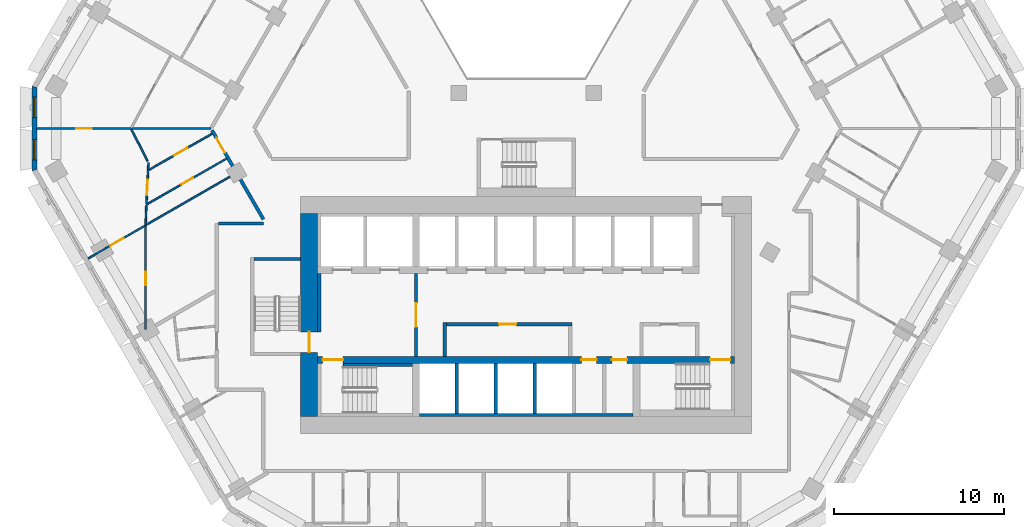
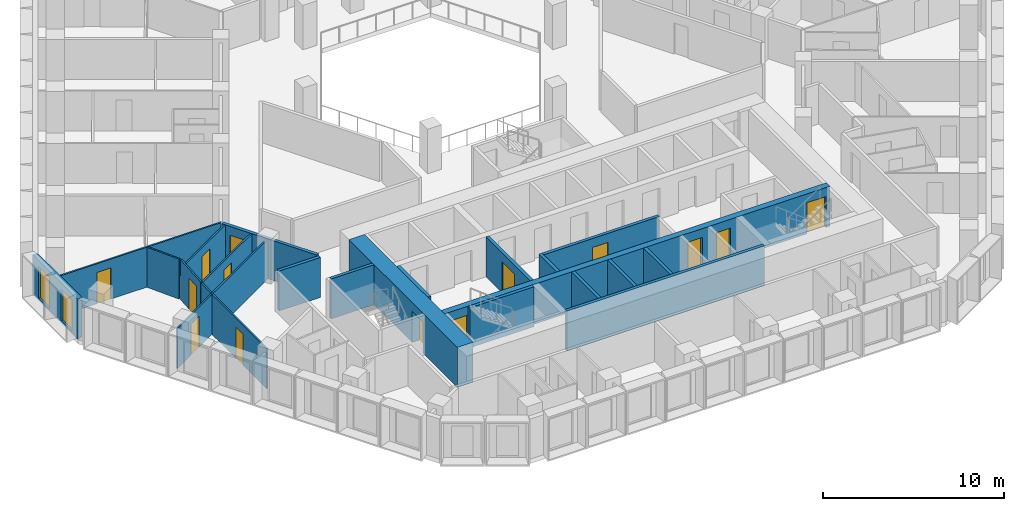
# One storey, part 4 of 18: 23 walls, 14 doors, 2 windows, 16 openings.
"""IFC4 building model written with IfcOpenShell, lengths in metres."""

from ifc_helpers import new_model, si_unit, direction, frame, frame_2d, origin, place, context, subcontext, project, spatial, polyline, rectangle, outline, extrude, material, layer, layer_set, type_object, element, fill, save


model = new_model("IFC4")

# Units and contexts
model_context = context("Model", 3, precision=1e-05, world=origin(), true_north=direction((0.0, 1.0)))
body_context = subcontext(model_context, "Body", "Model", "MODEL_VIEW")
ifc_project = project(units=[si_unit("LENGTHUNIT", "METRE"), si_unit("AREAUNIT", "SQUARE_METRE"), si_unit("VOLUMEUNIT", "CUBIC_METRE"), si_unit("PLANEANGLEUNIT", "RADIAN"), si_unit("MASSUNIT", "GRAM", prefix="KILO")], contexts=[model_context])

# Site, building, storey
site_placement = place(None, origin())
site = spatial("IfcSite", under=ifc_project, at=site_placement, CompositionType="ELEMENT")
building_placement = place(site_placement, origin())
building = spatial("IfcBuilding", under=site, at=building_placement, Name="Beryl Residences", CompositionType="ELEMENT")
storey_placement = place(building_placement, frame((0.0, 0.0, 87.0)))
storey = spatial("IfcBuildingStorey", under=building, at=storey_placement, Name="L26", CompositionType="ELEMENT", Elevation=87.0)

# Wall, openings, windows
ifc_material_1 = material(Name="Composite metal panel with mineral wool insulation")
ifc_layer_1 = layer(ifc_material_1, 0.300048828125)
ifc_layer_set_1 = layer_set([ifc_layer_1], Name="ES1 pale metal composite panel wall 300 mm")
wall_type_1 = type_object("IfcWallType", Name="ES1 pale metal composite panel wall 300 mm", PredefinedType="SOLIDWALL", material=ifc_layer_set_1)
wall_1_placement = place(storey_placement, frame((-29.007080078125, 1.5, 0.0), z_axis=(0.0, 0.0, 1.0), x_axis=(0.0, -1.0, 0.0)))
wall_1 = element("IfcWall", 1, at=wall_1_placement, inside=storey, type_object=wall_type_1, Name="ES1 external wall L26 NW-SW", PredefinedType="SOLIDWALL", context=body_context, shape_type="SweptSolid", body=[
    extrude(outline(polyline([(0.0, -0.14990234375), (5.0, -0.14990234375), (4.919677734375, 0.14990234375), (0.080322265625, 0.14990234375), (0.0, -0.14990234375)])), origin(), (0.0, 0.0, 1.0), 2.699951171875),
])
opening_1_placement = place(wall_1_placement, frame((0.64990234375, 0.0, 0.14990234375)))
opening_1 = element("IfcOpeningElement", 2, at=opening_1_placement, cuts=wall_1, Name="Opening W2", PredefinedType="OPENING", context=body_context, shape_type="SweptSolid", body=[
    extrude(rectangle(XDim=1.199951171875, YDim=2.10009765625, at=frame_2d((0.60009765625, 1.050048828125))), frame((0.0, 0.159912109375, 0.0), z_axis=(0.0, -1.0, 0.0), x_axis=(1.0, 0.0, 0.0)), (0.0, 0.0, 1.0), 0.320068359375),
])
opening_2_placement = place(wall_1_placement, frame((3.14990234375, 0.0, 0.14990234375)))
opening_2 = element("IfcOpeningElement", 3, at=opening_2_placement, cuts=wall_1, Name="Opening W2", PredefinedType="OPENING", context=body_context, shape_type="SweptSolid", body=[
    extrude(rectangle(XDim=1.199951171875, YDim=2.10009765625, at=frame_2d((0.60009765625, 1.050048828125))), frame((0.0, 0.159912109375, 0.0), z_axis=(0.0, -1.0, 0.0), x_axis=(1.0, 0.0, 0.0)), (0.0, 0.0, 1.0), 0.320068359375),
])
ifc_material_2 = material(Name="Aluminium and clear glass", Category="aluminium")
window_type = type_object("IfcWindowType", Name="W2 chamfer window 1200 x 2100 mm", PartitioningType="SINGLE_PANEL", PredefinedType="WINDOW", material=ifc_material_2)
window_1_placement = place(opening_1_placement, origin())
window_1 = element("IfcWindow", 4, at=window_1_placement, inside=storey, type_object=window_type, Name="W2 window L26 NW-SW 1", OverallHeight=2.10009765625, OverallWidth=1.199951171875, PartitioningType="SINGLE_PANEL", PredefinedType="WINDOW", context=body_context, shape_type="SweptSolid", body=[
    extrude(rectangle(XDim=1.199951171875, YDim=2.10009765625, at=frame_2d((0.60009765625, 1.050048828125))), frame((0.0, 0.030029296875, 0.0), z_axis=(0.0, -1.0, 0.0), x_axis=(1.0, 0.0, 0.0)), (0.0, 0.0, 1.0), 0.06005859375),
])
fill(opening_1, window_1)
window_2_placement = place(opening_2_placement, origin())
window_2 = element("IfcWindow", 5, at=window_2_placement, inside=storey, type_object=window_type, Name="W2 window L26 NW-SW 2", OverallHeight=2.10009765625, OverallWidth=1.199951171875, PartitioningType="SINGLE_PANEL", PredefinedType="WINDOW", context=body_context, shape_type="SweptSolid", body=[
    extrude(rectangle(XDim=1.199951171875, YDim=2.10009765625, at=frame_2d((0.60009765625, 1.050048828125))), frame((0.0, 0.030029296875, 0.0), z_axis=(0.0, -1.0, 0.0), x_axis=(1.0, 0.0, 0.0)), (0.0, 0.0, 1.0), 0.06005859375),
])
fill(opening_2, window_2)

# Wall
ifc_material_3 = material(Name="Gypsum board partition on steel studs", Category="steel")
ifc_layer_2 = layer(ifc_material_3, 0.10009765625)
ifc_layer_set_2 = layer_set([ifc_layer_2], Name="PT1 partition 100 mm gypsum board on steel studs")
wall_type_2 = type_object("IfcWallType", Name="PT1 partition 100 mm gypsum board on steel studs", PredefinedType="PARTITIONING", material=ifc_layer_set_2)
wall_2_placement = place(storey_placement, frame((-23.2890625, -1.053955078125, 0.0), z_axis=(0.0, 0.0, 1.0), x_axis=(0.458226112305, -0.888835659726, 0.0)))
element("IfcWall", 6, at=wall_2_placement, inside=storey, type_object=wall_type_2, Name="Wall PT1 L26 009", PredefinedType="PARTITIONING", context=body_context, shape_type="SweptSolid", body=[
    extrude(rectangle(XDim=2.10400390625, YDim=0.10009765625, at=frame_2d((1.052001953125, 0.0))), origin(), (0.0, 0.0, 1.0), 2.699951171875),
])

# Wall, opening, door
wall_3_placement = place(storey_placement, frame((-28.85693359375, -1.0009765625, 0.0), z_axis=(0.0, 0.0, 1.0), x_axis=(1.0, 0.0, 0.0)))
wall_3 = element("IfcWall", 7, at=wall_3_placement, inside=storey, type_object=wall_type_2, Name="Wall PT1 L26 032", PredefinedType="PARTITIONING", context=body_context, shape_type="SweptSolid", body=[
    extrude(rectangle(XDim=10.265869140625, YDim=0.10009765625, at=frame_2d((5.1328125, 0.0))), origin(), (0.0, 0.0, 1.0), 2.699951171875),
])
opening_3_placement = place(wall_3_placement, frame((2.320068359375, 0.0, 0.0)))
opening_3 = element("IfcOpeningElement", 8, at=opening_3_placement, cuts=wall_3, Name="Opening D0621", PredefinedType="OPENING", context=body_context, shape_type="SweptSolid", body=[
    extrude(rectangle(XDim=0.89990234375, YDim=2.10009765625, at=frame_2d((0.449951171875, 1.050048828125))), frame((0.0, 0.06005859375, 0.0), z_axis=(0.0, -1.0, 0.0), x_axis=(1.0, 0.0, 0.0)), (0.0, 0.0, 1.0), 0.1201171875),
])
ifc_material_4 = material(Name="Timber door leaf", Category="wood")
door_type_1 = type_object("IfcDoorType", Name="D2 room door 900 x 2100 mm", OperationType="SINGLE_SWING_LEFT", PredefinedType="DOOR", material=ifc_material_4)
door_1_placement = place(opening_3_placement, origin())
door_1 = element("IfcDoor", 9, at=door_1_placement, inside=storey, type_object=door_type_1, Name="Door D0621 L26 001", OperationType="SINGLE_SWING_LEFT", OverallHeight=2.10009765625, OverallWidth=0.89990234375, PredefinedType="DOOR", context=body_context, shape_type="SweptSolid", body=[
    extrude(rectangle(XDim=0.89990234375, YDim=2.10009765625, at=frame_2d((0.449951171875, 1.050048828125))), frame((0.0, 0.02490234375, 0.0), z_axis=(0.0, -1.0, 0.0), x_axis=(1.0, 0.0, 0.0)), (0.0, 0.0, 1.0), 0.050048828125),
])
fill(opening_3, door_1)

wall_4_placement = place(storey_placement, frame((-22.39892578125, -5.449951171875, 0.0), z_axis=(0.0, 0.0, 1.0), x_axis=(0.049129140995, 0.998792434646, 0.0)))
wall_4 = element("IfcWall", 10, at=wall_4_placement, inside=storey, type_object=wall_type_2, Name="Wall PT1 L26 052", PredefinedType="PARTITIONING", context=body_context, shape_type="SweptSolid", body=[
    extrude(rectangle(XDim=2.43994140625, YDim=0.10009765625, at=frame_2d((1.219970703125, 0.0))), origin(), (0.0, 0.0, 1.0), 2.699951171875),
])
opening_4_placement = place(wall_4_placement, frame((0.52197265625, 0.0, 0.0)))
opening_4 = element("IfcOpeningElement", 11, at=opening_4_placement, cuts=wall_4, Name="Opening D0620", PredefinedType="OPENING", context=body_context, shape_type="SweptSolid", body=[
    extrude(rectangle(XDim=0.89990234375, YDim=2.10009765625, at=frame_2d((0.449951171875, 1.050048828125))), frame((0.0, 0.06005859375, 0.0), z_axis=(0.0, -1.0, 0.0), x_axis=(1.0, 0.0, 0.0)), (0.0, 0.0, 1.0), 0.1201171875),
])
door_2_placement = place(opening_4_placement, origin())
door_2 = element("IfcDoor", 12, at=door_2_placement, inside=storey, type_object=door_type_1, Name="Door D0620 L26 001", OperationType="SINGLE_SWING_RIGHT", OverallHeight=2.10009765625, OverallWidth=0.89990234375, PredefinedType="DOOR", context=body_context, shape_type="SweptSolid", body=[
    extrude(rectangle(XDim=0.89990234375, YDim=2.10009765625, at=frame_2d((0.449951171875, 1.050048828125))), frame((0.0, 0.02490234375, 0.0), z_axis=(0.0, -1.0, 0.0), x_axis=(1.0, 0.0, 0.0)), (0.0, 0.0, 1.0), 0.050048828125),
])
fill(opening_4, door_2)

# Wall
wall_5_placement = place(storey_placement, frame((-22.447998046875, -6.65087890625, 0.0), z_axis=(0.0, 0.0, 1.0), x_axis=(0.040729401597, 0.99917021365, 0.0)))
element("IfcWall", 13, at=wall_5_placement, inside=storey, type_object=wall_type_2, Name="Wall PT1 L26 053", PredefinedType="PARTITIONING", context=body_context, shape_type="SweptSolid", body=[
    extrude(rectangle(XDim=1.126953125, YDim=0.10009765625, at=frame_2d((0.5634765625, 0.0))), origin(), (0.0, 0.0, 1.0), 2.699951171875),
])

# Wall, opening, door
wall_6_placement = place(storey_placement, frame((-22.449951171875, -12.845947265625, 0.0), z_axis=(0.0, 0.0, 1.0), x_axis=(0.0, 1.0, 0.0)))
wall_6 = element("IfcWall", 14, at=wall_6_placement, inside=storey, type_object=wall_type_2, Name="Wall PT1 L26 066", PredefinedType="PARTITIONING", context=body_context, shape_type="SweptSolid", body=[
    extrude(rectangle(XDim=6.077880859375, YDim=0.10009765625, at=frame_2d((3.0390625, 0.0))), origin(), (0.0, 0.0, 1.0), 2.699951171875),
])
opening_5_placement = place(wall_6_placement, frame((2.610107421875, 0.0, 0.0)))
opening_5 = element("IfcOpeningElement", 15, at=opening_5_placement, cuts=wall_6, Name="Opening D0623", PredefinedType="OPENING", context=body_context, shape_type="SweptSolid", body=[
    extrude(rectangle(XDim=0.800048828125, YDim=2.10009765625, at=frame_2d((0.39990234375, 1.050048828125))), frame((0.0, 0.06005859375, 0.0), z_axis=(0.0, -1.0, 0.0), x_axis=(1.0, 0.0, 0.0)), (0.0, 0.0, 1.0), 0.1201171875),
])
ifc_material_5 = material(Name="Timber door leaf", Category="wood")
door_type_2 = type_object("IfcDoorType", Name="D3 bathroom door 800 x 2100 mm", OperationType="SINGLE_SWING_LEFT", PredefinedType="DOOR", material=ifc_material_5)
door_3_placement = place(opening_5_placement, origin())
door_3 = element("IfcDoor", 16, at=door_3_placement, inside=storey, type_object=door_type_2, Name="Door D0623 L26 001", OperationType="SINGLE_SWING_LEFT", OverallHeight=2.10009765625, OverallWidth=0.800048828125, PredefinedType="DOOR", context=body_context, shape_type="SweptSolid", body=[
    extrude(rectangle(XDim=0.800048828125, YDim=2.10009765625, at=frame_2d((0.39990234375, 1.050048828125))), frame((0.0, 0.02490234375, 0.0), z_axis=(0.0, -1.0, 0.0), x_axis=(1.0, 0.0, 0.0)), (0.0, 0.0, 1.0), 0.050048828125),
])
fill(opening_5, door_3)

wall_7_placement = place(storey_placement, frame((-25.830078125, -8.662109375, 0.0), z_axis=(0.0, 0.0, 1.0), x_axis=(0.866022959057, 0.500004234368, 0.0)))
wall_7 = element("IfcWall", 17, at=wall_7_placement, inside=storey, type_object=wall_type_2, Name="Wall PT1 L26 071", PredefinedType="PARTITIONING", context=body_context, shape_type="SweptSolid", body=[
    extrude(rectangle(XDim=10.0, YDim=0.10009765625, at=frame_2d((5.0, 0.0))), origin(), (0.0, 0.0, 1.0), 2.699951171875),
])
opening_6_placement = place(wall_7_placement, frame((1.5009765625, 0.0, 0.0)))
opening_6 = element("IfcOpeningElement", 18, at=opening_6_placement, cuts=wall_7, Name="Opening D0622", PredefinedType="OPENING", context=body_context, shape_type="SweptSolid", body=[
    extrude(rectangle(XDim=0.89990234375, YDim=2.10009765625, at=frame_2d((0.449951171875, 1.050048828125))), frame((0.0, 0.06005859375, 0.0), z_axis=(0.0, -1.0, 0.0), x_axis=(1.0, 0.0, 0.0)), (0.0, 0.0, 1.0), 0.1201171875),
])
door_4_placement = place(opening_6_placement, origin())
door_4 = element("IfcDoor", 19, at=door_4_placement, inside=storey, type_object=door_type_1, Name="Door D0622 L26 001", OperationType="SINGLE_SWING_RIGHT", OverallHeight=2.10009765625, OverallWidth=0.89990234375, PredefinedType="DOOR", context=body_context, shape_type="SweptSolid", body=[
    extrude(rectangle(XDim=0.89990234375, YDim=2.10009765625, at=frame_2d((0.449951171875, 1.050048828125))), frame((0.0, 0.02490234375, 0.0), z_axis=(0.0, -1.0, 0.0), x_axis=(1.0, 0.0, 0.0)), (0.0, 0.0, 1.0), 0.050048828125),
])
fill(opening_6, door_4)

wall_8_placement = place(storey_placement, frame((-22.40087890625, -5.489990234375, 0.0), z_axis=(0.0, 0.0, 1.0), x_axis=(0.867314404256, 0.497760709749, 0.0)))
wall_8 = element("IfcWall", 20, at=wall_8_placement, inside=storey, type_object=wall_type_2, Name="Wall PT1 L26 072", PredefinedType="PARTITIONING", context=body_context, shape_type="SweptSolid", body=[
    extrude(rectangle(XDim=5.4443359375, YDim=0.10009765625, at=frame_2d((2.72216796875, 0.0))), origin(), (0.0, 0.0, 1.0), 2.699951171875),
])
opening_7_placement = place(wall_8_placement, frame((2.3720703125, 0.0, 0.0)))
opening_7 = element("IfcOpeningElement", 21, at=opening_7_placement, cuts=wall_8, Name="Opening D0618", PredefinedType="OPENING", context=body_context, shape_type="SweptSolid", body=[
    extrude(rectangle(XDim=0.800048828125, YDim=2.10009765625, at=frame_2d((0.39990234375, 1.050048828125))), frame((0.0, 0.06005859375, 0.0), z_axis=(0.0, -1.0, 0.0), x_axis=(1.0, 0.0, 0.0)), (0.0, 0.0, 1.0), 0.1201171875),
])
door_5_placement = place(opening_7_placement, origin())
door_5 = element("IfcDoor", 22, at=door_5_placement, inside=storey, type_object=door_type_2, Name="Door D0618 L26 001", OperationType="SINGLE_SWING_RIGHT", OverallHeight=2.10009765625, OverallWidth=0.800048828125, PredefinedType="DOOR", context=body_context, shape_type="SweptSolid", body=[
    extrude(rectangle(XDim=0.800048828125, YDim=2.10009765625, at=frame_2d((0.39990234375, 1.050048828125))), frame((0.0, 0.02490234375, 0.0), z_axis=(0.0, -1.0, 0.0), x_axis=(1.0, 0.0, 0.0)), (0.0, 0.0, 1.0), 0.050048828125),
])
fill(opening_7, door_5)

wall_9_placement = place(storey_placement, frame((-22.25, -3.443115234375, 0.0), z_axis=(0.0, 0.0, 1.0), x_axis=(0.867362741349, 0.497676476156, 0.0)))
wall_9 = element("IfcWall", 23, at=wall_9_placement, inside=storey, type_object=wall_type_2, Name="Wall PT1 L26 073", PredefinedType="PARTITIONING", context=body_context, shape_type="SweptSolid", body=[
    extrude(rectangle(XDim=4.2900390625, YDim=0.10009765625, at=frame_2d((2.14501953125, 0.0))), origin(), (0.0, 0.0, 1.0), 2.699951171875),
])
opening_8_placement = place(wall_9_placement, frame((1.715087890625, 0.0, 0.0)))
opening_8 = element("IfcOpeningElement", 24, at=opening_8_placement, cuts=wall_9, Name="Opening D0619", PredefinedType="OPENING", context=body_context, shape_type="SweptSolid", body=[
    extrude(rectangle(XDim=0.89990234375, YDim=2.10009765625, at=frame_2d((0.449951171875, 1.050048828125))), frame((0.0, 0.06005859375, 0.0), z_axis=(0.0, -1.0, 0.0), x_axis=(1.0, 0.0, 0.0)), (0.0, 0.0, 1.0), 0.1201171875),
])
door_6_placement = place(opening_8_placement, origin())
door_6 = element("IfcDoor", 25, at=door_6_placement, inside=storey, type_object=door_type_1, Name="Door D0619 L26 001", OperationType="SINGLE_SWING_LEFT", OverallHeight=2.10009765625, OverallWidth=0.89990234375, PredefinedType="DOOR", context=body_context, shape_type="SweptSolid", body=[
    extrude(rectangle(XDim=0.89990234375, YDim=2.10009765625, at=frame_2d((0.449951171875, 1.050048828125))), frame((0.0, 0.02490234375, 0.0), z_axis=(0.0, -1.0, 0.0), x_axis=(1.0, 0.0, 0.0)), (0.0, 0.0, 1.0), 0.050048828125),
])
fill(opening_8, door_6)

# Wall
ifc_material_6 = material(Name="Concrete masonry", Category="masonry")
ifc_layer_3 = layer(ifc_material_6, 0.199951171875)
ifc_layer_set_3 = layer_set([ifc_layer_3], Name="PT13 lobby wall 200 mm")
wall_type_3 = type_object("IfcWallType", Name="PT13 lobby wall 200 mm", PredefinedType="PARTITIONING", material=ifc_layer_set_3)
wall_10_placement = place(storey_placement, frame((-12.199951171875, -13.0, 0.0), z_axis=(0.0, 0.0, 1.0), x_axis=(0.0, 1.0, 0.0)))
element("IfcWall", 26, at=wall_10_placement, inside=storey, type_object=wall_type_3, Name="Lobby wall 05", PredefinedType="PARTITIONING", context=body_context, shape_type="SweptSolid", body=[
    extrude(rectangle(XDim=3.449951171875, YDim=0.199951171875, at=frame_2d((1.72509765625, 0.0))), origin(), (0.0, 0.0, 1.0), 2.699951171875),
])

# Wall, opening, door
wall_11_placement = place(storey_placement, frame((-6.5, -14.449951171875, 0.0), z_axis=(0.0, 0.0, 1.0), x_axis=(0.0, 1.0, 0.0)))
wall_11 = element("IfcWall", 27, at=wall_11_placement, inside=storey, type_object=wall_type_3, Name="Lobby wall 11", PredefinedType="PARTITIONING", context=body_context, shape_type="SweptSolid", body=[
    extrude(rectangle(XDim=4.89990234375, YDim=0.199951171875, at=frame_2d((2.449951171875, 0.0))), origin(), (0.0, 0.0, 1.0), 2.699951171875),
])
opening_9_placement = place(wall_11_placement, frame((3.14990234375, 0.0, 0.0), z_axis=(0.0, 0.0, 1.0), x_axis=(-1.0, 0.0, 0.0)))
opening_9 = element("IfcOpeningElement", 28, at=opening_9_placement, cuts=wall_11, Name="Opening FD-FFL", PredefinedType="OPENING", context=body_context, shape_type="SweptSolid", body=[
    extrude(rectangle(XDim=1.39990234375, YDim=2.10009765625, at=frame_2d((0.699951171875, 1.050048828125))), frame((0.0, 0.10986328125, 0.0), z_axis=(0.0, -1.0, 0.0), x_axis=(1.0, 0.0, 0.0)), (0.0, 0.0, 1.0), 0.219970703125),
])
ifc_material_7 = material(Name="Steel door leaf in steel frame", Category="steel")
door_type_3 = type_object("IfcDoorType", Name="D5 lobby door 1400 x 2100 mm", OperationType="DOUBLE_DOOR_SINGLE_SWING", PredefinedType="DOOR", material=ifc_material_7)
door_7_placement = place(opening_9_placement, origin())
door_7 = element("IfcDoor", 29, at=door_7_placement, inside=storey, type_object=door_type_3, Name="Door FD-FFL L26 001", OperationType="DOUBLE_DOOR_SINGLE_SWING", OverallHeight=2.10009765625, OverallWidth=1.39990234375, PredefinedType="DOOR", context=body_context, shape_type="SweptSolid", body=[
    extrude(rectangle(XDim=1.39990234375, YDim=2.10009765625, at=frame_2d((0.699951171875, 1.050048828125))), frame((0.0, 0.02490234375, 0.0), z_axis=(0.0, -1.0, 0.0), x_axis=(1.0, 0.0, 0.0)), (0.0, 0.0, 1.0), 0.050048828125),
])
fill(opening_9, door_7)

# Wall
wall_12_placement = place(storey_placement, frame((-4.800048828125, -14.449951171875, 0.0), z_axis=(0.0, 0.0, 1.0), x_axis=(0.0, 1.0, 0.0)))
element("IfcWall", 30, at=wall_12_placement, inside=storey, type_object=wall_type_3, Name="Lobby wall 14", PredefinedType="PARTITIONING", context=body_context, shape_type="SweptSolid", body=[
    extrude(rectangle(XDim=2.0, YDim=0.199951171875, at=frame_2d((1.0, 0.0))), origin(), (0.0, 0.0, 1.0), 2.699951171875),
])

# Wall, opening, door
wall_13_placement = place(storey_placement, frame((-4.699951171875, -12.550048828125, 0.0), z_axis=(0.0, 0.0, 1.0), x_axis=(1.0, 0.0, 0.0)))
wall_13 = element("IfcWall", 31, at=wall_13_placement, inside=storey, type_object=wall_type_3, Name="Lobby wall 15", PredefinedType="PARTITIONING", context=body_context, shape_type="SweptSolid", body=[
    extrude(rectangle(XDim=7.39990234375, YDim=0.199951171875, at=frame_2d((3.699951171875, 0.0))), origin(), (0.0, 0.0, 1.0), 2.699951171875),
])
opening_10_placement = place(wall_13_placement, frame((4.10009765625, 0.0, 0.0), z_axis=(0.0, 0.0, 1.0), x_axis=(-1.0, 0.0, 0.0)))
opening_10 = element("IfcOpeningElement", 32, at=opening_10_placement, cuts=wall_13, Name="Opening CD-D-A1", PredefinedType="OPENING", context=body_context, shape_type="SweptSolid", body=[
    extrude(rectangle(XDim=1.0, YDim=2.10009765625, at=frame_2d((0.5, 1.050048828125))), frame((0.0, 0.10986328125, 0.0), z_axis=(0.0, -1.0, 0.0), x_axis=(1.0, 0.0, 0.0)), (0.0, 0.0, 1.0), 0.219970703125),
])
ifc_material_8 = material(Name="Steel door leaf in steel frame", Category="steel")
door_type_4 = type_object("IfcDoorType", Name="D18 service room door 1000 x 2100 mm", OperationType="SINGLE_SWING_LEFT", PredefinedType="DOOR", material=ifc_material_8)
door_8_placement = place(opening_10_placement, origin())
door_8 = element("IfcDoor", 33, at=door_8_placement, inside=storey, type_object=door_type_4, Name="Door CD-D-A1 L26 001", OperationType="SINGLE_SWING_RIGHT", OverallHeight=2.10009765625, OverallWidth=1.0, PredefinedType="DOOR", context=body_context, shape_type="SweptSolid", body=[
    extrude(rectangle(XDim=1.0, YDim=2.10009765625, at=frame_2d((0.5, 1.050048828125))), frame((0.0, 0.02490234375, 0.0), z_axis=(0.0, -1.0, 0.0), x_axis=(1.0, 0.0, 0.0)), (0.0, 0.0, 1.0), 0.050048828125),
])
fill(opening_10, door_8)

ifc_material_9 = material(Name="Double stud gypsum board wall")
ifc_layer_4 = layer(ifc_material_9, 0.199951171875)
ifc_layer_set_4 = layer_set([ifc_layer_4], Name="PT4 corridor wall 200 mm double stud")
wall_type_4 = type_object("IfcWallType", Name="PT4 corridor wall 200 mm double stud", PredefinedType="PARTITIONING", material=ifc_layer_set_4)
wall_14_placement = place(storey_placement, frame((-18.532958984375, -1.10107421875, 0.0), z_axis=(0.0, 0.0, 1.0), x_axis=(0.500022085096, -0.866012652573, 0.0)))
wall_14 = element("IfcWall", 34, at=wall_14_placement, inside=storey, type_object=wall_type_4, Name="Wall PT4 L26 003", PredefinedType="PARTITIONING", context=body_context, shape_type="SweptSolid", body=[
    extrude(rectangle(XDim=6.065673828125, YDim=0.199951171875, at=frame_2d((3.03271484375, 0.0))), origin(), (0.0, 0.0, 1.0), 2.699951171875),
])
opening_11_placement = place(wall_14_placement, frame((0.531982421875, 0.0, 0.0)))
opening_11 = element("IfcOpeningElement", 35, at=opening_11_placement, cuts=wall_14, Name="Opening D0617", PredefinedType="OPENING", context=body_context, shape_type="SweptSolid", body=[
    extrude(rectangle(XDim=1.0, YDim=2.10009765625, at=frame_2d((0.5, 1.050048828125))), frame((0.0, 0.10986328125, 0.0), z_axis=(0.0, -1.0, 0.0), x_axis=(1.0, 0.0, 0.0)), (0.0, 0.0, 1.0), 0.219970703125),
])
ifc_material_10 = material(Name="Timber door leaf", Category="wood")
door_type_5 = type_object("IfcDoorType", Name="D1 flat entrance door 1000 x 2100 mm", OperationType="SINGLE_SWING_LEFT", PredefinedType="DOOR", material=ifc_material_10)
door_9_placement = place(opening_11_placement, origin())
door_9 = element("IfcDoor", 36, at=door_9_placement, inside=storey, type_object=door_type_5, Name="Door D0617 L26 001", OperationType="SINGLE_SWING_LEFT", OverallHeight=2.10009765625, OverallWidth=1.0, PredefinedType="DOOR", context=body_context, shape_type="SweptSolid", body=[
    extrude(rectangle(XDim=1.0, YDim=2.10009765625, at=frame_2d((0.5, 1.050048828125))), frame((0.0, 0.02490234375, 0.0), z_axis=(0.0, -1.0, 0.0), x_axis=(1.0, 0.0, 0.0)), (0.0, 0.0, 1.0), 0.050048828125),
])
fill(opening_11, door_9)

# Walls
wall_15_placement = place(storey_placement, frame((-18.14990234375, -6.60009765625, 0.0), z_axis=(0.0, 0.0, 1.0), x_axis=(1.0, 0.0, 0.0)))
element("IfcWall", 37, at=wall_15_placement, inside=storey, type_object=wall_type_4, Name="Wall PT4 L26 013", PredefinedType="PARTITIONING", context=body_context, shape_type="SweptSolid", body=[
    extrude(rectangle(XDim=2.64892578125, YDim=0.199951171875, at=frame_2d((1.324462890625, 0.0))), origin(), (0.0, 0.0, 1.0), 2.699951171875),
])
ifc_material_11 = material(Name="Concrete C40/50", Category="concrete")
ifc_layer_5 = layer(ifc_material_11, 0.199951171875)
ifc_layer_set_5 = layer_set([ifc_layer_5], Name="PT5 stair enclosure wall 200 mm reinforced concrete C40/50")
wall_type_5 = type_object("IfcWallType", Name="PT5 stair enclosure wall 200 mm reinforced concrete C40/50", PredefinedType="SOLIDWALL", material=ifc_layer_set_5)
wall_16_placement = place(storey_placement, frame((-16.050048828125, -8.699951171875, 0.0), z_axis=(0.0, 0.0, 1.0), x_axis=(1.0, 0.0, 0.0)))
element("IfcWall", 38, at=wall_16_placement, inside=storey, type_object=wall_type_5, Name="Stair wall 03", PredefinedType="SOLIDWALL", context=body_context, shape_type="SweptSolid", body=[
    extrude(rectangle(XDim=2.75, YDim=0.199951171875, at=frame_2d((1.375, 0.0))), origin(), (0.0, 0.0, 1.0), 2.699951171875),
])
wall_17_placement = place(storey_placement, frame((-10.800048828125, -14.949951171875, 0.0), z_axis=(0.0, 0.0, 1.0), x_axis=(1.0, 0.0, 0.0)))
element("IfcWall", 39, at=wall_17_placement, inside=storey, type_object=wall_type_5, Name="Stair wall 09", PredefinedType="SOLIDWALL", context=body_context, shape_type="SweptSolid", body=[
    extrude(rectangle(XDim=4.10009765625, YDim=0.199951171875, at=frame_2d((2.050048828125, 0.0))), origin(), (0.0, 0.0, 1.0), 2.699951171875),
])
ifc_material_12 = material(Name="Concrete C40/50", Category="concrete")
ifc_layer_6 = layer(ifc_material_12, 0.199951171875)
ifc_layer_set_6 = layer_set([ifc_layer_6], Name="PT6 lift shaft wall 200 mm reinforced concrete C40/50")
wall_type_6 = type_object("IfcWallType", Name="PT6 lift shaft wall 200 mm reinforced concrete C40/50", PredefinedType="SOLIDWALL", material=ifc_layer_set_6)
wall_18_placement = place(storey_placement, frame((-6.300048828125, -17.89990234375, 0.0), z_axis=(0.0, 0.0, 1.0), x_axis=(1.0, 0.0, 0.0)))
element("IfcWall", 40, at=wall_18_placement, inside=storey, type_object=wall_type_6, Name="Lift shaft wall 12", PredefinedType="SOLIDWALL", context=body_context, shape_type="SweptSolid", body=[
    extrude(rectangle(XDim=12.60009765625, YDim=0.199951171875, at=frame_2d((6.300048828125, 0.0))), origin(), (0.0, 0.0, 1.0), 2.699951171875),
])
for number, where, z_axis, x_axis, name in (
    (41, (-4.10009765625, -17.800048828125, 0.0), (0.0, 0.0, 1.0), (0.0, 1.0, 0.0), "Lift shaft wall 16"),
    (42, (-1.800048828125, -17.800048828125, 0.0), (0.0, 0.0, 1.0), (0.0, 1.0, 0.0), "Lift shaft wall 18"),
    (43, (0.5, -17.800048828125, 0.0), (0.0, 0.0, 1.0), (0.0, 1.0, 0.0), "Lift shaft wall 20"),
):
    element("IfcWall", number, at=place(storey_placement, frame(where, z_axis=z_axis, x_axis=x_axis)), inside=storey, type_object=wall_type_6, Name=name, PredefinedType="SOLIDWALL", context=body_context, shape_type="SweptSolid", body=[
        extrude(rectangle(XDim=2.949951171875, YDim=0.199951171875, at=frame_2d((1.47509765625, 0.0))), origin(), (0.0, 0.0, 1.0), 2.699951171875),
    ])

# Wall, opening, door
ifc_material_13 = material(Name="Concrete C70/85", Category="concrete")
ifc_layer_7 = layer(ifc_material_13, 1.0)
ifc_layer_set_7 = layer_set([ifc_layer_7], Name="SW2 core outer wall 1000 mm C70/85")
wall_type_7 = type_object("IfcWallType", Name="SW2 core outer wall 1000 mm C70/85", PredefinedType="SHEAR", material=ifc_layer_set_7)
wall_19_placement = place(storey_placement, frame((-12.800048828125, -18.0, 0.0), z_axis=(0.0, 0.0, 1.0), x_axis=(0.0, 1.0, 0.0)))
wall_19 = element("IfcWall", 44, at=wall_19_placement, inside=storey, type_object=wall_type_7, Name="Core wall W L26", PredefinedType="SHEAR", context=body_context, shape_type="SweptSolid", body=[
    extrude(rectangle(XDim=12.0, YDim=1.0, at=frame_2d((6.0, 0.0))), origin(), (0.0, 0.0, 1.0), 2.699951171875),
])
opening_12_placement = place(wall_19_placement, frame((3.800048828125, 0.0, 0.0)))
opening_12 = element("IfcOpeningElement", 45, at=opening_12_placement, cuts=wall_19, Name="Opening SD-2", PredefinedType="OPENING", context=body_context, shape_type="SweptSolid", body=[
    extrude(rectangle(XDim=1.199951171875, YDim=2.10009765625, at=frame_2d((0.60009765625, 1.050048828125))), frame((0.0, 0.510009765625, 0.0), z_axis=(0.0, -1.0, 0.0), x_axis=(1.0, 0.0, 0.0)), (0.0, 0.0, 1.0), 1.02001953125),
])
ifc_material_14 = material(Name="Steel door leaf in steel frame", Category="steel")
door_type_6 = type_object("IfcDoorType", Name="D4 stair door 1200 x 2100 mm", OperationType="SINGLE_SWING_LEFT", PredefinedType="DOOR", material=ifc_material_14)
door_10_placement = place(opening_12_placement, origin())
door_10 = element("IfcDoor", 46, at=door_10_placement, inside=storey, type_object=door_type_6, Name="Door SD-2 L26 001", OperationType="SINGLE_SWING_RIGHT", OverallHeight=2.10009765625, OverallWidth=1.199951171875, PredefinedType="DOOR", context=body_context, shape_type="SweptSolid", body=[
    extrude(rectangle(XDim=1.199951171875, YDim=2.10009765625, at=frame_2d((0.60009765625, 1.050048828125))), frame((0.0, 0.02490234375, 0.0), z_axis=(0.0, -1.0, 0.0), x_axis=(1.0, 0.0, 0.0)), (0.0, 0.0, 1.0), 0.050048828125),
])
fill(opening_12, door_10)

# Wall, openings, doors
ifc_material_15 = material(Name="Concrete C70/85", Category="concrete")
ifc_layer_8 = layer(ifc_material_15, 0.39990234375)
ifc_layer_set_8 = layer_set([ifc_layer_8], Name="SW7 core internal wall 400 mm C70/85")
wall_type_8 = type_object("IfcWallType", Name="SW7 core internal wall 400 mm C70/85", PredefinedType="SHEAR", material=ifc_layer_set_8)
wall_20_placement = place(storey_placement, frame((-12.300048828125, -14.64990234375, 0.0), z_axis=(0.0, 0.0, 1.0), x_axis=(1.0, 0.0, 0.0)))
wall_20 = element("IfcWall", 47, at=wall_20_placement, inside=storey, type_object=wall_type_8, Name="Core wall SP1 L26", PredefinedType="SHEAR", context=body_context, shape_type="SweptSolid", body=[
    extrude(rectangle(XDim=24.60009765625, YDim=0.39990234375, at=frame_2d((12.300048828125, 0.0))), origin(), (0.0, 0.0, 1.0), 2.699951171875),
])
opening_13_placement = place(wall_20_placement, frame((1.5, 0.0, 0.0), z_axis=(0.0, 0.0, 1.0), x_axis=(-1.0, 0.0, 0.0)))
opening_13 = element("IfcOpeningElement", 48, at=opening_13_placement, cuts=wall_20, Name="Opening SD-1", PredefinedType="OPENING", context=body_context, shape_type="SweptSolid", body=[
    extrude(rectangle(XDim=1.199951171875, YDim=2.10009765625, at=frame_2d((0.60009765625, 1.050048828125))), frame((0.0, 0.2099609375, 0.0), z_axis=(0.0, -1.0, 0.0), x_axis=(1.0, 0.0, 0.0)), (0.0, 0.0, 1.0), 0.419921875),
])
opening_14_placement = place(wall_20_placement, frame((24.349853515625, 0.0, 0.0), z_axis=(0.0, 0.0, 1.0), x_axis=(-1.0, 0.0, 0.0)))
opening_14 = element("IfcOpeningElement", 49, at=opening_14_placement, cuts=wall_20, Name="Opening SD-3", PredefinedType="OPENING", context=body_context, shape_type="SweptSolid", body=[
    extrude(rectangle(XDim=1.199951171875, YDim=2.10009765625, at=frame_2d((0.60009765625, 1.050048828125))), frame((0.0, 0.2099609375, 0.0), z_axis=(0.0, -1.0, 0.0), x_axis=(1.0, 0.0, 0.0)), (0.0, 0.0, 1.0), 0.419921875),
])
opening_15_placement = place(wall_20_placement, frame((16.449951171875, 0.0, 0.0), z_axis=(0.0, 0.0, 1.0), x_axis=(-1.0, 0.0, 0.0)))
opening_15 = element("IfcOpeningElement", 50, at=opening_15_placement, cuts=wall_20, Name="Opening CD-D-S1-900", PredefinedType="OPENING", context=body_context, shape_type="SweptSolid", body=[
    extrude(rectangle(XDim=0.89990234375, YDim=2.10009765625, at=frame_2d((0.449951171875, 1.050048828125))), frame((0.0, 0.2099609375, 0.0), z_axis=(0.0, -1.0, 0.0), x_axis=(1.0, 0.0, 0.0)), (0.0, 0.0, 1.0), 0.419921875),
])
opening_16_placement = place(wall_20_placement, frame((18.25, 0.0, 0.0), z_axis=(0.0, 0.0, 1.0), x_axis=(-1.0, 0.0, 0.0)))
opening_16 = element("IfcOpeningElement", 51, at=opening_16_placement, cuts=wall_20, Name="Opening CD-D-S2-900", PredefinedType="OPENING", context=body_context, shape_type="SweptSolid", body=[
    extrude(rectangle(XDim=0.89990234375, YDim=2.10009765625, at=frame_2d((0.449951171875, 1.050048828125))), frame((0.0, 0.2099609375, 0.0), z_axis=(0.0, -1.0, 0.0), x_axis=(1.0, 0.0, 0.0)), (0.0, 0.0, 1.0), 0.419921875),
])
door_11_placement = place(opening_13_placement, origin())
door_11 = element("IfcDoor", 52, at=door_11_placement, inside=storey, type_object=door_type_6, Name="Door SD-1 L26 001", OperationType="SINGLE_SWING_RIGHT", OverallHeight=2.10009765625, OverallWidth=1.199951171875, PredefinedType="DOOR", context=body_context, shape_type="SweptSolid", body=[
    extrude(rectangle(XDim=1.199951171875, YDim=2.10009765625, at=frame_2d((0.60009765625, 1.050048828125))), frame((0.0, 0.02490234375, 0.0), z_axis=(0.0, -1.0, 0.0), x_axis=(1.0, 0.0, 0.0)), (0.0, 0.0, 1.0), 0.050048828125),
])
fill(opening_13, door_11)
door_12_placement = place(opening_14_placement, origin())
door_12 = element("IfcDoor", 53, at=door_12_placement, inside=storey, type_object=door_type_6, Name="Door SD-3 L26 001", OperationType="SINGLE_SWING_RIGHT", OverallHeight=2.10009765625, OverallWidth=1.199951171875, PredefinedType="DOOR", context=body_context, shape_type="SweptSolid", body=[
    extrude(rectangle(XDim=1.199951171875, YDim=2.10009765625, at=frame_2d((0.60009765625, 1.050048828125))), frame((0.0, 0.02490234375, 0.0), z_axis=(0.0, -1.0, 0.0), x_axis=(1.0, 0.0, 0.0)), (0.0, 0.0, 1.0), 0.050048828125),
])
fill(opening_14, door_12)
ifc_material_16 = material(Name="Steel door leaf in steel frame", Category="steel")
door_type_7 = type_object("IfcDoorType", Name="D6 service room door 900 x 2100 mm", OperationType="SINGLE_SWING_LEFT", PredefinedType="DOOR", material=ifc_material_16)
door_13_placement = place(opening_15_placement, origin())
door_13 = element("IfcDoor", 54, at=door_13_placement, inside=storey, type_object=door_type_7, Name="Door CD-D-S1-900 L26 001", OperationType="SINGLE_SWING_RIGHT", OverallHeight=2.10009765625, OverallWidth=0.89990234375, PredefinedType="DOOR", context=body_context, shape_type="SweptSolid", body=[
    extrude(rectangle(XDim=0.89990234375, YDim=2.10009765625, at=frame_2d((0.449951171875, 1.050048828125))), frame((0.0, 0.02490234375, 0.0), z_axis=(0.0, -1.0, 0.0), x_axis=(1.0, 0.0, 0.0)), (0.0, 0.0, 1.0), 0.050048828125),
])
fill(opening_15, door_13)
door_14_placement = place(opening_16_placement, origin())
door_14 = element("IfcDoor", 55, at=door_14_placement, inside=storey, type_object=door_type_7, Name="Door CD-D-S2-900 L26 001", OperationType="SINGLE_SWING_LEFT", OverallHeight=2.10009765625, OverallWidth=0.89990234375, PredefinedType="DOOR", context=body_context, shape_type="SweptSolid", body=[
    extrude(rectangle(XDim=0.89990234375, YDim=2.10009765625, at=frame_2d((0.449951171875, 1.050048828125))), frame((0.0, 0.02490234375, 0.0), z_axis=(0.0, -1.0, 0.0), x_axis=(1.0, 0.0, 0.0)), (0.0, 0.0, 1.0), 0.050048828125),
])
fill(opening_16, door_14)

save(model, "model.ifc")
